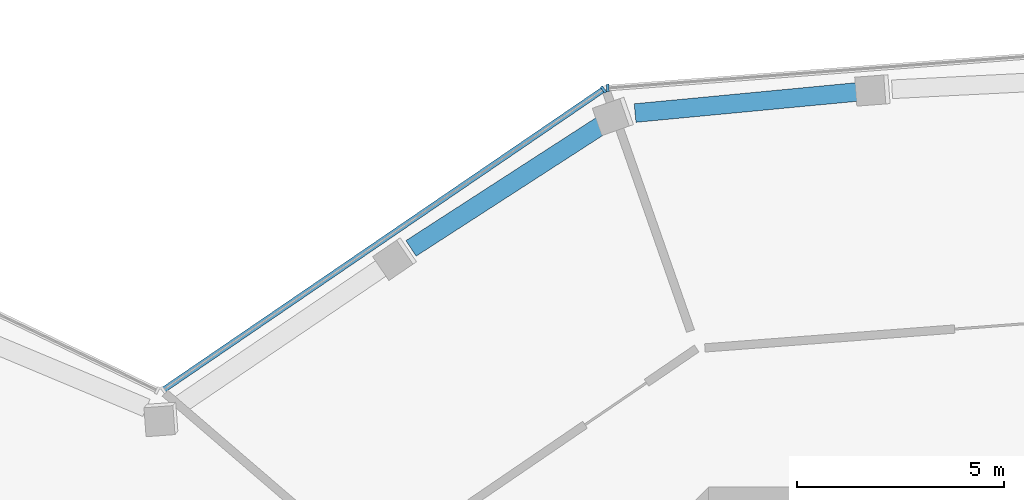
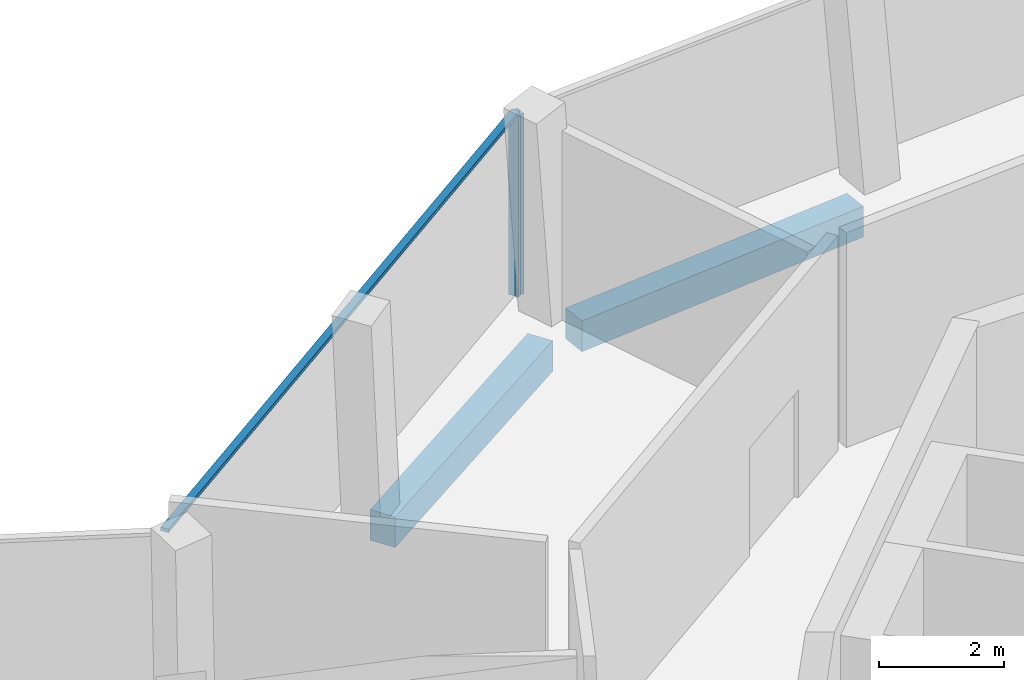
# One storey, part 5 of 19: 3 members, 2 beams, 2 elements without a shape of their own.
"""IFC4 building model written with IfcOpenShell, lengths in metres."""

from ifc_helpers import new_model, si_unit, direction, frame, origin, origin_2d, place, context, subcontext, project, spatial, rectangle, extrude, material, layer, layer_set, material_profile, profile_set, type_object, element, aggregate, save


model = new_model("IFC4")

# Units and contexts
model_context = context("Model", 3, precision=1e-05, world=origin(), true_north=direction((0.0, 1.0)))
body_context = subcontext(model_context, "Body", "Model", "MODEL_VIEW")
ifc_project = project(units=[si_unit("LENGTHUNIT", "METRE"), si_unit("AREAUNIT", "SQUARE_METRE"), si_unit("VOLUMEUNIT", "CUBIC_METRE"), si_unit("PLANEANGLEUNIT", "RADIAN"), si_unit("MASSUNIT", "GRAM", prefix="KILO")], contexts=[model_context])

# Site, building, storey
site_placement = place(None, origin())
site = spatial("IfcSite", under=ifc_project, at=site_placement, CompositionType="ELEMENT")
building_placement = place(site_placement, origin())
building = spatial("IfcBuilding", under=site, at=building_placement, Name="Verdalira Terraces Hotel", CompositionType="ELEMENT")
storey_placement = place(building_placement, frame((0.0, 0.0, 295.0)))
storey = spatial("IfcBuildingStorey", under=building, at=storey_placement, Name="L73", CompositionType="ELEMENT", Elevation=295.0)

# Curtain wall, member
ifc_material_1 = material(Name="Clear glass", Category="glass")
ifc_layer = layer(ifc_material_1, 0.179931640625)
ifc_layer_set = layer_set([ifc_layer], Name="CW4 curtain wall")
curtain_wall_type = type_object("IfcCurtainWallType", Name="CW4 curtain wall", PredefinedType="NOTDEFINED", material=ifc_layer_set)
curtain_wall_1_placement = place(storey_placement, origin())
curtain_wall_1 = element("IfcCurtainWall", 1, at=curtain_wall_1_placement, inside=storey, type_object=curtain_wall_type, Name="CW4 curtain wall L73 edge 40", PredefinedType="NOTDEFINED")
ifc_material_2 = material(Name="Terracotta frame", Category="masonry")
ifc_material_profile_1 = material_profile(ifc_material_2, rectangle(XDim=0.064941, YDim=0.179932, at=origin_2d()), Name="MU 65x180")
ifc_profile_set_1 = profile_set([ifc_material_profile_1], Name="Terracotta frame")
member_type_1 = type_object("IfcMemberType", Name="CW4 mullion 65x180", PredefinedType="MULLION", material=ifc_profile_set_1)
member_1_placement = place(storey_placement, frame((-8.231934, 23.645508, 0.0), z_axis=(0.0, 0.0, 1.0), x_axis=(-0.9971589, -0.075326806, 0.0)))
member_1 = element("IfcMember", 2, at=member_1_placement, type_object=member_type_1, Name="CW4 mullion", PredefinedType="MULLION", context=body_context, shape_type="SweptSolid", body=[
    extrude(rectangle(XDim=0.064941, YDim=0.179932, at=origin_2d()), origin(), (0.0, 0.0, 1.0), 3.52002),
])
aggregate(curtain_wall_1, [member_1])

# Curtain wall, members
curtain_wall_2_placement = place(storey_placement, origin())
curtain_wall_2 = element("IfcCurtainWall", 3, at=curtain_wall_2_placement, inside=storey, type_object=curtain_wall_type, Name="CW4 curtain wall L73 edge 41", PredefinedType="NOTDEFINED")
member_2_placement = place(storey_placement, frame((-8.334961, 23.609131, 0.0), z_axis=(0.0, 0.0, 1.0), x_axis=(-0.825901536, -0.563814377, 0.0)))
member_2 = element("IfcMember", 4, at=member_2_placement, type_object=member_type_1, Name="CW4 mullion", PredefinedType="MULLION", context=body_context, shape_type="SweptSolid", body=[
    extrude(rectangle(XDim=0.064941, YDim=0.179932, at=origin_2d()), origin(), (0.0, 0.0, 1.0), 3.52002),
])
ifc_material_3 = material(Name="Terracotta frame", Category="masonry")
ifc_material_profile_2 = material_profile(ifc_material_3, rectangle(XDim=0.139893, YDim=0.070068, at=origin_2d()), Name="TR 70x140")
ifc_profile_set_2 = profile_set([ifc_material_profile_2], Name="Terracotta frame")
member_type_2 = type_object("IfcMemberType", Name="CW4 transom 70x140", PredefinedType="USERDEFINED", material=ifc_profile_set_2)
member_3_placement = place(storey_placement, frame((-8.308105, 23.627686, 3.554932), z_axis=(-0.825893964, -0.56382547, 0.0), x_axis=(0.56382547, -0.825893964, 0.0)))
member_3 = element("IfcMember", 5, at=member_3_placement, type_object=member_type_2, Name="CW4 transom", ObjectType="TRANSOM", PredefinedType="USERDEFINED", context=body_context, shape_type="SweptSolid", body=[
    extrude(rectangle(XDim=0.139893, YDim=0.070068, at=origin_2d()), origin(), (0.0, 0.0, 1.0), 12.942627),
])
aggregate(curtain_wall_2, [member_2, member_3])

# Beams
ifc_material_4 = material(Name="Concrete C40", Category="concrete")
ifc_material_profile_3 = material_profile(ifc_material_4, rectangle(XDim=0.449951, YDim=0.600098, at=origin_2d()), Name="RC 450X600")
ifc_profile_set_3 = profile_set([ifc_material_profile_3], Name="Concrete C40")
beam_type = type_object("IfcBeamType", Name="Spandrel beam RC 450X600 C40", PredefinedType="SPANDREL", material=ifc_profile_set_3)
beam_1_placement = place(storey_placement, frame((-2.073975, 23.561523, -0.610107), z_axis=(-0.995517108, -0.094581642, 0.0), x_axis=(0.094581642, -0.995517108, 0.0)))
element("IfcBeam", 6, at=beam_1_placement, inside=storey, type_object=beam_type, Name="Spandrel beam B27", PredefinedType="SPANDREL", context=body_context, shape_type="SweptSolid", body=[
    extrude(rectangle(XDim=0.449951, YDim=0.600098, at=origin_2d()), origin(), (0.0, 0.0, 1.0), 5.52124),
])
beam_2_placement = place(storey_placement, frame((-8.346191, 22.768311, -0.610107), z_axis=(-0.839807237, -0.542884706, 0.0), x_axis=(0.542884706, -0.839807237, 0.0)))
element("IfcBeam", 7, at=beam_2_placement, inside=storey, type_object=beam_type, Name="Spandrel beam B28", PredefinedType="SPANDREL", context=body_context, shape_type="SweptSolid", body=[
    extrude(rectangle(XDim=0.449951, YDim=0.600098, at=origin_2d()), origin(), (0.0, 0.0, 1.0), 5.523682),
])

save(model, "model.ifc")
